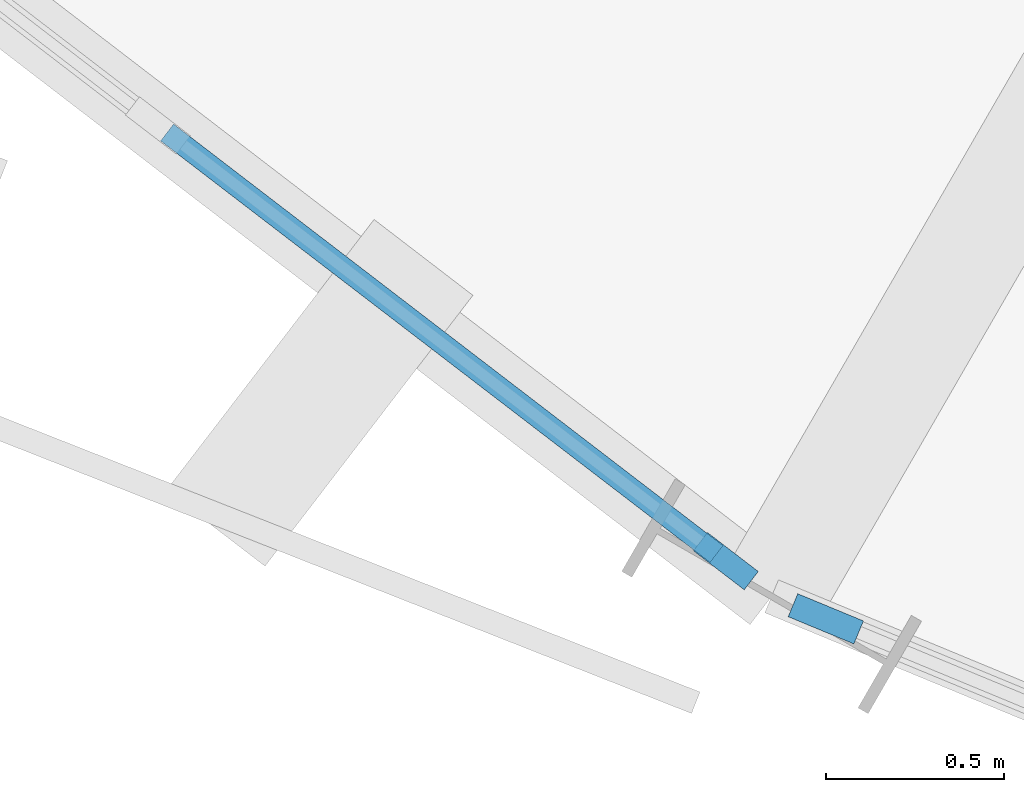
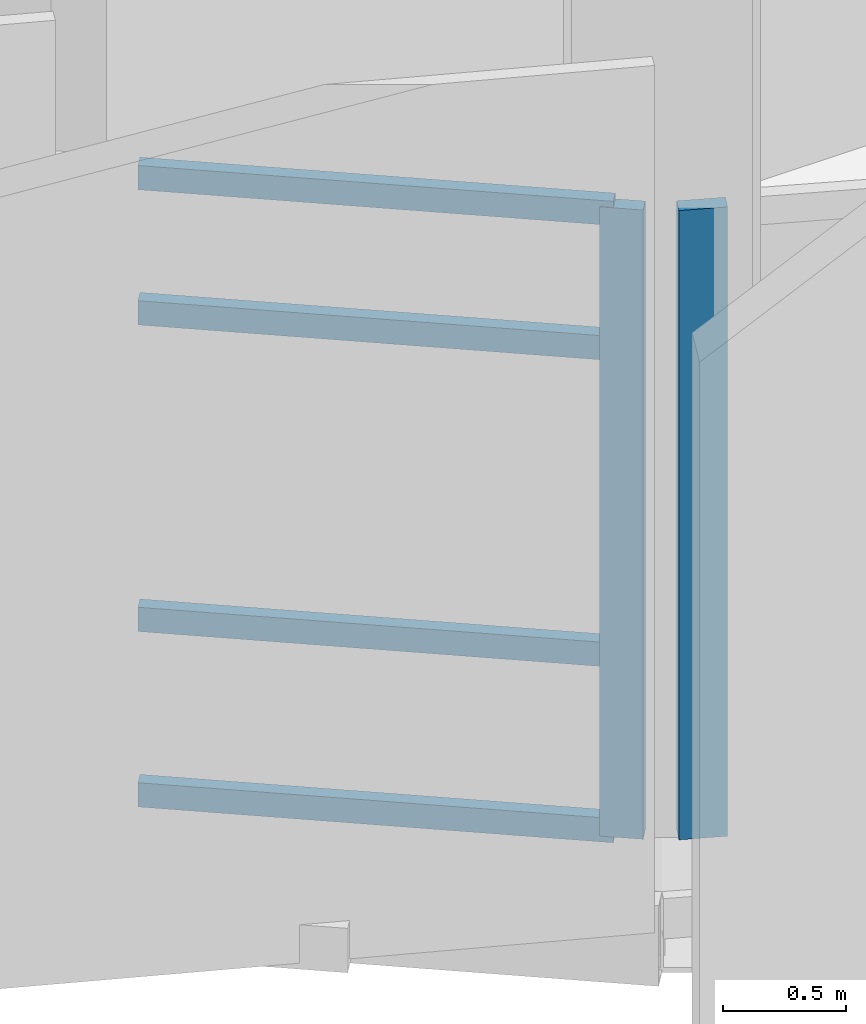
# One storey, part 24 of 134: 6 members, 2 elements without a shape of their own.
"""IFC4 building model written with IfcOpenShell, lengths in metres."""

from ifc_helpers import new_model, si_unit, direction, frame, origin, origin_2d, place, context, subcontext, project, spatial, rectangle, extrude, material, layer, layer_set, material_profile, profile_set, type_object, element, aggregate, save


model = new_model("IFC4")

# Units and contexts
model_context = context("Model", 3, precision=1e-05, world=origin(), true_north=direction((0.0, 1.0)))
body_context = subcontext(model_context, "Body", "Model", "MODEL_VIEW")
ifc_project = project(units=[si_unit("LENGTHUNIT", "METRE"), si_unit("AREAUNIT", "SQUARE_METRE"), si_unit("VOLUMEUNIT", "CUBIC_METRE"), si_unit("PLANEANGLEUNIT", "RADIAN"), si_unit("MASSUNIT", "GRAM", prefix="KILO")], contexts=[model_context])

# Site, building, storey
site_placement = place(None, origin())
site = spatial("IfcSite", under=ifc_project, at=site_placement, CompositionType="ELEMENT")
building_placement = place(site_placement, origin())
building = spatial("IfcBuilding", under=site, at=building_placement, Name="Sohan Crest Arena", CompositionType="ELEMENT")
storey_placement = place(building_placement, frame((0.0, 0.0, 4.5)))
storey = spatial("IfcBuildingStorey", under=building, at=storey_placement, Name="L01", CompositionType="ELEMENT", Elevation=4.5)

# Curtain wall, member
ifc_material = material(Name="Thermally broken anodised aluminium", Category="aluminium")
ifc_layer_1 = layer(ifc_material, 0.239990234375, Name="Thermally broken anodised aluminium")
ifc_layer_set_1 = layer_set([ifc_layer_1], Name="Thermally broken anodised aluminium")
curtain_wall_type_1 = type_object("IfcCurtainWallType", Name="ARC-CW04", PredefinedType="NOTDEFINED", material=ifc_layer_set_1)
curtain_wall_1_placement = place(storey_placement, origin())
curtain_wall_1 = element("IfcCurtainWall", 1, at=curtain_wall_1_placement, inside=storey, type_object=curtain_wall_type_1, Name="Unitised curtain wall CW-027", PredefinedType="NOTDEFINED")
ifc_material_profile_1 = material_profile(ifc_material, rectangle(XDim=0.06494140625, YDim=0.179931640625, at=origin_2d()), Name="ALU-MULL 65x180")
ifc_profile_set_1 = profile_set([ifc_material_profile_1], Name="Thermally broken anodised aluminium")
member_type_1 = type_object("IfcMemberType", Name="ARC-CW-ML02", PredefinedType="MULLION", material=ifc_profile_set_1)
member_1_placement = place(storey_placement, frame((73.871337890625, 36.52978515625, 0.0), z_axis=(0.0, 0.0, 1.0), x_axis=(0.608765110447, 0.793350515411, 0.0)))
member_1 = element("IfcMember", 2, at=member_1_placement, type_object=member_type_1, Name="CW-027 mullion 7", PredefinedType="MULLION", context=body_context, shape_type="SweptSolid", body=[
    extrude(rectangle(XDim=0.06494140625, YDim=0.179931640625, at=origin_2d()), origin(), (0.0, 0.0, 1.0), 3.1201171875),
])

ifc_layer_2 = layer(ifc_material, 0.18994140625, Name="Thermally broken anodised aluminium")
ifc_layer_set_2 = layer_set([ifc_layer_2], Name="Thermally broken anodised aluminium")
curtain_wall_type_2 = type_object("IfcCurtainWallType", Name="ARC-CW05", PredefinedType="NOTDEFINED", material=ifc_layer_set_2)
curtain_wall_2_placement = place(storey_placement, origin())
curtain_wall_2 = element("IfcCurtainWall", 3, at=curtain_wall_2_placement, inside=storey, type_object=curtain_wall_type_2, Name="Unitised curtain wall CW-028", PredefinedType="NOTDEFINED")
ifc_material_profile_2 = material_profile(ifc_material, rectangle(XDim=0.070068359375, YDim=0.199951171875, at=origin_2d()), Name="ALU-MULL 70x200")
ifc_profile_set_2 = profile_set([ifc_material_profile_2], Name="Thermally broken anodised aluminium")
member_type_2 = type_object("IfcMemberType", Name="ARC-CW-ML03", PredefinedType="MULLION", material=ifc_profile_set_2)
member_2_placement = place(storey_placement, frame((74.15234375, 36.36767578125, 0.0), z_axis=(0.0, 0.0, 1.0), x_axis=(0.382618103525, 0.923906589897, 0.0)))
member_2 = element("IfcMember", 4, at=member_2_placement, type_object=member_type_2, Name="CW-028 mullion 1", PredefinedType="MULLION", context=body_context, shape_type="SweptSolid", body=[
    extrude(rectangle(XDim=0.070068359375, YDim=0.199951171875, at=origin_2d()), origin(), (0.0, 0.0, 1.0), 3.1201171875),
])
aggregate(curtain_wall_2, [member_2])

# Member
ifc_material_profile_3 = material_profile(ifc_material, rectangle(XDim=0.06005859375, YDim=0.1201171875, at=origin_2d()), Name="ALU-TRAN 60x120")
ifc_profile_set_3 = profile_set([ifc_material_profile_3], Name="Thermally broken anodised aluminium")
member_type_3 = type_object("IfcMemberType", Name="ARC-CW-TR01", PredefinedType="USERDEFINED", material=ifc_profile_set_3)
member_3_placement = place(storey_placement, frame((72.30029296875, 37.735107421875, 0.030029296875), z_axis=(0.793378313747, -0.608728881585, 0.0), x_axis=(0.608728881585, 0.793378313747, 0.0)))
member_3 = element("IfcMember", 5, at=member_3_placement, type_object=member_type_3, Name="CW-027 transom 6.1", ObjectType="TRANSOM", PredefinedType="USERDEFINED", context=body_context, shape_type="SweptSolid", body=[
    extrude(rectangle(XDim=0.06005859375, YDim=0.1201171875, at=origin_2d()), origin(), (0.0, 0.0, 1.0), 1.947509765625),
])

member_4_placement = place(storey_placement, frame((72.30029296875, 37.735107421875, 0.89990234375), z_axis=(0.793378313747, -0.608728881585, 0.0), x_axis=(0.608728881585, 0.793378313747, 0.0)))
member_4 = element("IfcMember", 6, at=member_4_placement, type_object=member_type_3, Name="CW-027 transom 6.2", ObjectType="TRANSOM", PredefinedType="USERDEFINED", context=body_context, shape_type="SweptSolid", body=[
    extrude(rectangle(XDim=0.06005859375, YDim=0.1201171875, at=origin_2d()), origin(), (0.0, 0.0, 1.0), 1.947509765625),
])

member_5_placement = place(storey_placement, frame((72.30029296875, 37.735107421875, 2.419921875), z_axis=(0.793378313747, -0.608728881585, 0.0), x_axis=(0.608728881585, 0.793378313747, 0.0)))
member_5 = element("IfcMember", 7, at=member_5_placement, type_object=member_type_3, Name="CW-027 transom 6.3", ObjectType="TRANSOM", PredefinedType="USERDEFINED", context=body_context, shape_type="SweptSolid", body=[
    extrude(rectangle(XDim=0.06005859375, YDim=0.1201171875, at=origin_2d()), origin(), (0.0, 0.0, 1.0), 1.947509765625),
])

member_6_placement = place(storey_placement, frame((72.30029296875, 37.735107421875, 3.090087890625), z_axis=(0.793378313747, -0.608728881585, 0.0), x_axis=(0.608728881585, 0.793378313747, 0.0)))
member_6 = element("IfcMember", 8, at=member_6_placement, type_object=member_type_3, Name="CW-027 transom 6.4", ObjectType="TRANSOM", PredefinedType="USERDEFINED", context=body_context, shape_type="SweptSolid", body=[
    extrude(rectangle(XDim=0.06005859375, YDim=0.1201171875, at=origin_2d()), origin(), (0.0, 0.0, 1.0), 1.947509765625),
])

aggregate(curtain_wall_1, [member_1, member_3, member_4, member_5, member_6])

save(model, "model.ifc")
